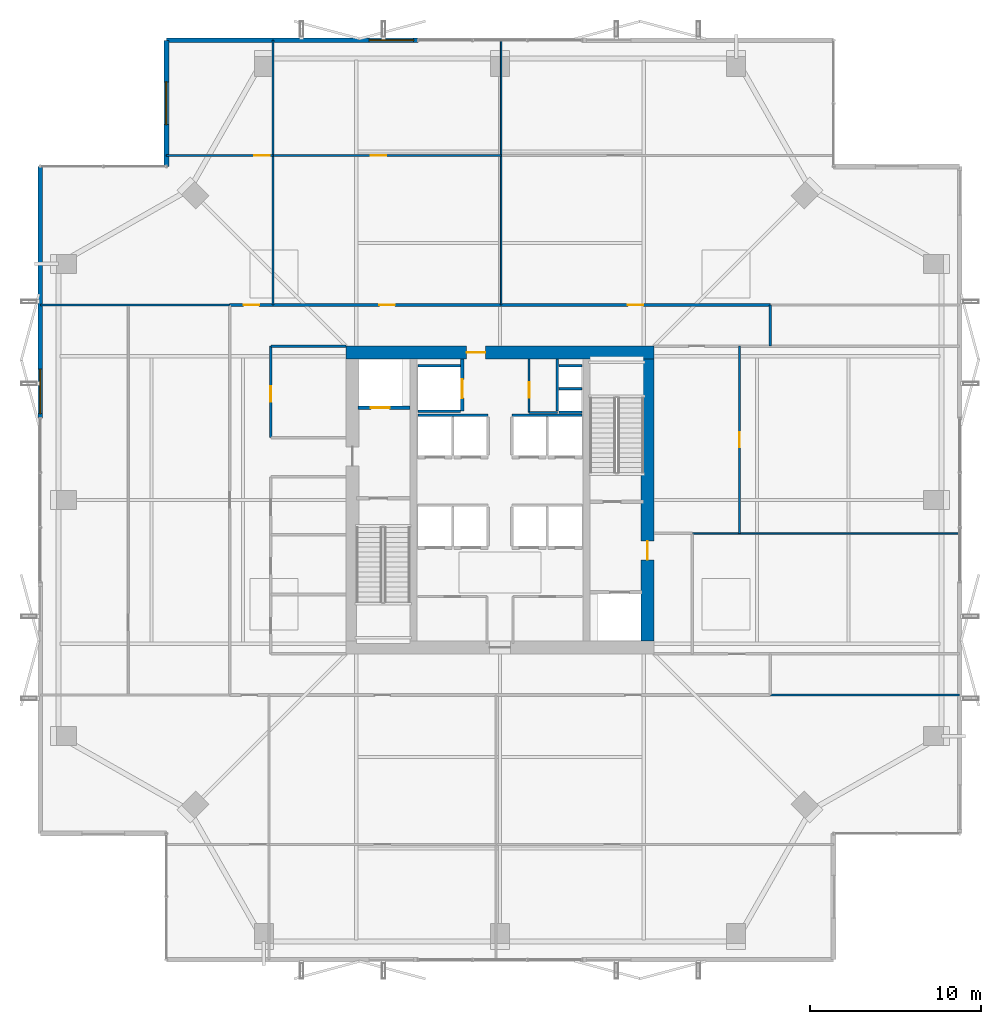
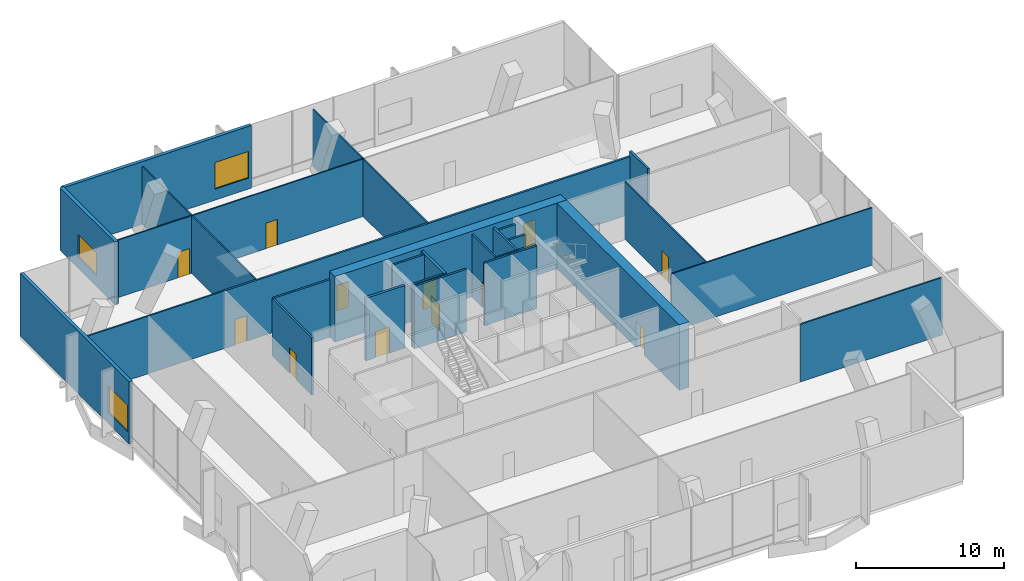
# One storey, part 31 of 33: 29 walls, 12 doors, 3 windows, 15 openings.
"""IFC4 building model written with IfcOpenShell, lengths in metres."""

from ifc_helpers import new_model, si_unit, direction, frame, frame_2d, origin, place, context, subcontext, project, spatial, rectangle, extrude, material, layer, layer_set, type_object, element, fill, save


model = new_model("IFC4")

# Units and contexts
model_context = context("Model", 3, precision=1e-05, world=origin(), true_north=direction((0.0, 1.0)))
body_context = subcontext(model_context, "Body", "Model", "MODEL_VIEW")
ifc_project = project(units=[si_unit("LENGTHUNIT", "METRE"), si_unit("AREAUNIT", "SQUARE_METRE"), si_unit("VOLUMEUNIT", "CUBIC_METRE"), si_unit("PLANEANGLEUNIT", "RADIAN"), si_unit("MASSUNIT", "GRAM", prefix="KILO")], contexts=[model_context])

# Site, building, storey
site_placement = place(None, origin())
site = spatial("IfcSite", under=ifc_project, at=site_placement, CompositionType="ELEMENT")
building_placement = place(site_placement, origin())
building = spatial("IfcBuilding", under=site, at=building_placement, Name="Belovzor Exchange Tower", CompositionType="ELEMENT")
storey_placement = place(building_placement, frame((0.0, 0.0, 241.199951171875)))
storey = spatial("IfcBuildingStorey", under=building, at=storey_placement, Name="L60", CompositionType="ELEMENT", Elevation=241.199951171875)

# Walls
ifc_material_1 = material(Name="Acoustic Plasterboard on Galvanised Studs", Category="gypsum")
ifc_layer_1 = layer(ifc_material_1, 0.1201171875)
ifc_layer_set_1 = layer_set([ifc_layer_1], Name="Acoustic Plasterboard on Galvanised Studs")
wall_type_1 = type_object("IfcWallType", Name="Acoustic Double-Stud Partition Wall 120", PredefinedType="PARTITIONING", material=ifc_layer_set_1)
wall_1_placement = place(storey_placement, frame((44.60009765625, 17.39990234375, 0.0), z_axis=(0.0, 0.0, 1.0), x_axis=(1.0, 0.0, 0.0)))
element("IfcWall", 1, at=wall_1_placement, inside=storey, type_object=wall_type_1, Name="W-P120 Partition Wall W-L60-END-SE", PredefinedType="PARTITIONING", context=body_context, shape_type="SweptSolid", body=[
    extrude(rectangle(XDim=11.06982421875, YDim=0.1201171875, at=frame_2d((5.534912109375, 0.0))), origin(), (0.0, 0.0, 1.0), 4.735107421875),
])
wall_2_placement = place(storey_placement, frame((1.929931640625, 40.199951171875, 0.0), z_axis=(0.0, 0.0, 1.0), x_axis=(1.0, 0.0, 0.0)))
element("IfcWall", 2, at=wall_2_placement, inside=storey, type_object=wall_type_1, Name="W-P120 Partition Wall W-L60-END-NW", PredefinedType="PARTITIONING", context=body_context, shape_type="SweptSolid", body=[
    extrude(rectangle(XDim=11.070068359375, YDim=0.1201171875, at=frame_2d((5.53515625, 0.0))), origin(), (0.0, 0.0, 1.0), 4.735107421875),
])

# Wall, opening, door
ifc_material_2 = material(Name="Acoustic Laminated Glass and Aluminium", Category="aluminium")
ifc_layer_2 = layer(ifc_material_2, 0.10009765625)
ifc_layer_set_2 = layer_set([ifc_layer_2], Name="Acoustic Laminated Glass and Aluminium")
wall_type_2 = type_object("IfcWallType", Name="Demountable Executive Glass Partition 100", PredefinedType="MOVABLE", material=ifc_layer_set_2)
wall_3_placement = place(storey_placement, frame((9.300048828125, 48.93505859375, 0.0), z_axis=(0.0, 0.0, 1.0), x_axis=(1.0, 0.0, 0.0)))
wall_3 = element("IfcWall", 3, at=wall_3_placement, inside=storey, type_object=wall_type_2, Name="W-M100 Partition Wall W-L60-NHDIV-0", PredefinedType="MOVABLE", context=body_context, shape_type="SweptSolid", body=[
    extrude(rectangle(XDim=6.23388671875, YDim=0.10009765625, at=frame_2d((3.116943359375, 0.0))), origin(), (0.0, 0.0, 1.0), 4.735107421875),
])
opening_1_placement = place(wall_3_placement, frame((5.134033203125, 0.0, 0.0)))
opening_1 = element("IfcOpeningElement", 4, at=opening_1_placement, cuts=wall_3, Name="Opening D-INT-090", PredefinedType="OPENING", context=body_context, shape_type="SweptSolid", body=[
    extrude(rectangle(XDim=0.89990234375, YDim=2.10009765625, at=frame_2d((0.449951171875, 1.050048828125))), frame((0.0, 0.06005859375, 0.0), z_axis=(0.0, -1.0, 0.0), x_axis=(1.0, 0.0, 0.0)), (0.0, 0.0, 1.0), 0.1201171875),
])
ifc_material_3 = material(Name="Veneered Hardwood Acoustic Leaf", Category="wood")
door_type_1 = type_object("IfcDoorType", Name="Trading Suite Acoustic Single Door 900x2100", OperationType="NOTDEFINED", PredefinedType="DOOR", material=ifc_material_3)
door_1_placement = place(opening_1_placement, origin())
door_1 = element("IfcDoor", 5, at=door_1_placement, inside=storey, type_object=door_type_1, Name="D-INT-090 Trading Suite Acoustic Single Door 900x2100", OperationType="SINGLE_SWING_RIGHT", OverallHeight=2.10009765625, OverallWidth=0.89990234375, PredefinedType="DOOR", context=body_context, shape_type="SweptSolid", body=[
    extrude(rectangle(XDim=0.89990234375, YDim=2.10009765625, at=frame_2d((0.449951171875, 1.050048828125))), frame((0.0, 0.02490234375, 0.0), z_axis=(0.0, -1.0, 0.0), x_axis=(1.0, 0.0, 0.0)), (0.0, 0.0, 1.0), 0.050048828125),
])
fill(opening_1, door_1)

# Wall
wall_4_placement = place(storey_placement, frame((15.533935546875, 40.199951171875, 0.0), z_axis=(0.0, 0.0, 1.0), x_axis=(0.0, 1.0, 0.0)))
element("IfcWall", 6, at=wall_4_placement, inside=storey, type_object=wall_type_2, Name="W-M100 Partition Wall W-L60-NDIV-1", PredefinedType="MOVABLE", context=body_context, shape_type="SweptSolid", body=[
    extrude(rectangle(XDim=15.469970703125, YDim=0.10009765625, at=frame_2d((7.73486328125, 0.0))), origin(), (0.0, 0.0, 1.0), 4.735107421875),
])

# Wall, opening, door
wall_5_placement = place(storey_placement, frame((15.533935546875, 48.93505859375, 0.0), z_axis=(0.0, 0.0, 1.0), x_axis=(1.0, 0.0, 0.0)))
wall_5 = element("IfcWall", 7, at=wall_5_placement, inside=storey, type_object=wall_type_2, Name="W-M100 Partition Wall W-L60-NHDIV-1", PredefinedType="MOVABLE", context=body_context, shape_type="SweptSolid", body=[
    extrude(rectangle(XDim=13.3310546875, YDim=0.10009765625, at=frame_2d((6.66552734375, 0.0))), origin(), (0.0, 0.0, 1.0), 4.735107421875),
])
opening_2_placement = place(wall_5_placement, frame((5.714111328125, 0.0, 0.0)))
opening_2 = element("IfcOpeningElement", 8, at=opening_2_placement, cuts=wall_5, Name="Opening D-INT-090", PredefinedType="OPENING", context=body_context, shape_type="SweptSolid", body=[
    extrude(rectangle(XDim=0.89990234375, YDim=2.10009765625, at=frame_2d((0.449951171875, 1.050048828125))), frame((0.0, 0.06005859375, 0.0), z_axis=(0.0, -1.0, 0.0), x_axis=(1.0, 0.0, 0.0)), (0.0, 0.0, 1.0), 0.1201171875),
])
door_2_placement = place(opening_2_placement, origin())
door_2 = element("IfcDoor", 9, at=door_2_placement, inside=storey, type_object=door_type_1, Name="D-INT-090 Trading Suite Acoustic Single Door 900x2100", OperationType="SINGLE_SWING_RIGHT", OverallHeight=2.10009765625, OverallWidth=0.89990234375, PredefinedType="DOOR", context=body_context, shape_type="SweptSolid", body=[
    extrude(rectangle(XDim=0.89990234375, YDim=2.10009765625, at=frame_2d((0.449951171875, 1.050048828125))), frame((0.0, 0.02490234375, 0.0), z_axis=(0.0, -1.0, 0.0), x_axis=(1.0, 0.0, 0.0)), (0.0, 0.0, 1.0), 0.050048828125),
])
fill(opening_2, door_2)

# Walls
wall_6_placement = place(storey_placement, frame((28.864990234375, 40.199951171875, 0.0), z_axis=(0.0, 0.0, 1.0), x_axis=(0.0, 1.0, 0.0)))
element("IfcWall", 10, at=wall_6_placement, inside=storey, type_object=wall_type_2, Name="W-M100 Partition Wall W-L60-NDIV-2", PredefinedType="MOVABLE", context=body_context, shape_type="SweptSolid", body=[
    extrude(rectangle(XDim=15.469970703125, YDim=0.10009765625, at=frame_2d((7.73486328125, 0.0))), origin(), (0.0, 0.0, 1.0), 4.735107421875),
])
wall_7_placement = place(storey_placement, frame((40.050048828125, 26.85009765625, 0.0), z_axis=(0.0, 0.0, 1.0), x_axis=(1.0, 0.0, 0.0)))
element("IfcWall", 11, at=wall_7_placement, inside=storey, type_object=wall_type_2, Name="W-M100 Partition Wall W-L60-EDIV-1", PredefinedType="MOVABLE", context=body_context, shape_type="SweptSolid", body=[
    extrude(rectangle(XDim=15.619873046875, YDim=0.10009765625, at=frame_2d((7.81005859375, 0.0))), origin(), (0.0, 0.0, 1.0), 4.735107421875),
])

# Wall, opening, door
wall_8_placement = place(storey_placement, frame((42.800048828125, 26.85009765625, 0.0), z_axis=(0.0, 0.0, 1.0), x_axis=(0.0, 1.0, 0.0)))
wall_8 = element("IfcWall", 12, at=wall_8_placement, inside=storey, type_object=wall_type_2, Name="W-M100 Partition Wall W-L60-EDIV-2", PredefinedType="MOVABLE", context=body_context, shape_type="SweptSolid", body=[
    extrude(rectangle(XDim=10.949951171875, YDim=0.10009765625, at=frame_2d((5.47509765625, 0.0))), origin(), (0.0, 0.0, 1.0), 4.735107421875),
])
opening_3_placement = place(wall_8_placement, frame((5.02490234375, 0.0, 0.0)))
opening_3 = element("IfcOpeningElement", 13, at=opening_3_placement, cuts=wall_8, Name="Opening D-INT-090", PredefinedType="OPENING", context=body_context, shape_type="SweptSolid", body=[
    extrude(rectangle(XDim=0.89990234375, YDim=2.10009765625, at=frame_2d((0.449951171875, 1.050048828125))), frame((0.0, 0.06005859375, 0.0), z_axis=(0.0, -1.0, 0.0), x_axis=(1.0, 0.0, 0.0)), (0.0, 0.0, 1.0), 0.1201171875),
])
door_3_placement = place(opening_3_placement, origin())
door_3 = element("IfcDoor", 14, at=door_3_placement, inside=storey, type_object=door_type_1, Name="D-INT-090 Trading Suite Acoustic Single Door 900x2100", OperationType="SINGLE_SWING_RIGHT", OverallHeight=2.10009765625, OverallWidth=0.89990234375, PredefinedType="DOOR", context=body_context, shape_type="SweptSolid", body=[
    extrude(rectangle(XDim=0.89990234375, YDim=2.10009765625, at=frame_2d((0.449951171875, 1.050048828125))), frame((0.0, 0.02490234375, 0.0), z_axis=(0.0, -1.0, 0.0), x_axis=(1.0, 0.0, 0.0)), (0.0, 0.0, 1.0), 0.050048828125),
])
fill(opening_3, door_3)

ifc_material_4 = material(Name="Fire-Rated Plasterboard on Galvanised Studs", Category="gypsum")
ifc_layer_3 = layer(ifc_material_4, 0.1201171875)
ifc_layer_set_3 = layer_set([ifc_layer_3], Name="Fire-Rated Plasterboard on Galvanised Studs")
wall_type_3 = type_object("IfcWallType", Name="Fire-Rated Double-Stud Partition Wall 120", PredefinedType="PARTITIONING", material=ifc_layer_set_3)
wall_9_placement = place(storey_placement, frame((30.5, 33.925048828125, 0.0), z_axis=(0.0, 0.0, 1.0), x_axis=(0.0, 1.0, 0.0)))
wall_9 = element("IfcWall", 15, at=wall_9_placement, inside=storey, type_object=wall_type_3, Name="W-P120F Partition Wall W-CRV-L60-W", PredefinedType="PARTITIONING", context=body_context, shape_type="SweptSolid", body=[
    extrude(rectangle(XDim=3.125, YDim=0.1201171875, at=frame_2d((1.5625, 0.0))), origin(), (0.0, 0.0, 1.0), 5.150146484375),
])
opening_4_placement = place(wall_9_placement, frame((0.85009765625, 0.0, 0.0)))
opening_4 = element("IfcOpeningElement", 16, at=opening_4_placement, cuts=wall_9, Name="Opening D-FD60-090", PredefinedType="OPENING", context=body_context, shape_type="SweptSolid", body=[
    extrude(rectangle(XDim=0.89990234375, YDim=2.10009765625, at=frame_2d((0.449951171875, 1.050048828125))), frame((0.0, 0.070068359375, 0.0), z_axis=(0.0, -1.0, 0.0), x_axis=(1.0, 0.0, 0.0)), (0.0, 0.0, 1.0), 0.14013671875),
])
ifc_material_5 = material(Name="Acoustic Timber Fire Leaf", Category="wood")
door_type_2 = type_object("IfcDoorType", Name="Core Service & Restroom Fire Door 900x2100", OperationType="NOTDEFINED", PredefinedType="DOOR", material=ifc_material_5)
door_4_placement = place(opening_4_placement, origin())
door_4 = element("IfcDoor", 17, at=door_4_placement, inside=storey, type_object=door_type_2, Name="D-FD60-090 Core Service & Restroom Fire Door 900x2100", OperationType="SINGLE_SWING_LEFT", OverallHeight=2.10009765625, OverallWidth=0.89990234375, PredefinedType="DOOR", context=body_context, shape_type="SweptSolid", body=[
    extrude(rectangle(XDim=0.89990234375, YDim=2.10009765625, at=frame_2d((0.449951171875, 1.050048828125))), frame((0.0, 0.02490234375, 0.0), z_axis=(0.0, -1.0, 0.0), x_axis=(1.0, 0.0, 0.0)), (0.0, 0.0, 1.0), 0.050048828125),
])
fill(opening_4, door_4)

# Walls
wall_10_placement = place(storey_placement, frame((30.5, 33.925048828125, 0.0), z_axis=(0.0, 0.0, 1.0), x_axis=(1.0, 0.0, 0.0)))
element("IfcWall", 18, at=wall_10_placement, inside=storey, type_object=wall_type_3, Name="W-P120F Partition Wall W-CRV-L60-S", PredefinedType="PARTITIONING", context=body_context, shape_type="SweptSolid", body=[
    extrude(rectangle(XDim=1.64990234375, YDim=0.1201171875, at=frame_2d((0.824951171875, 0.0))), origin(), (0.0, 0.0, 1.0), 5.150146484375),
])
ifc_material_6 = material(Name="Fire-Rated Gypsum Block and Mineral Wool", Category="gypsum")
ifc_layer_4 = layer(ifc_material_6, 0.14990234375)
ifc_layer_set_4 = layer_set([ifc_layer_4], Name="Fire-Rated Gypsum Block and Mineral Wool")
wall_type_4 = type_object("IfcWallType", Name="Fire-Rated Gypsum Block Corridor Wall 150", PredefinedType="PARTITIONING", material=ifc_layer_set_4)
wall_11_placement = place(storey_placement, frame((15.39990234375, 37.800048828125, 0.0), z_axis=(0.0, 0.0, 1.0), x_axis=(1.0, 0.0, 0.0)))
element("IfcWall", 19, at=wall_11_placement, inside=storey, type_object=wall_type_4, Name="W-P150 Partition Wall W-L60-INW-N", PredefinedType="PARTITIONING", context=body_context, shape_type="SweptSolid", body=[
    extrude(rectangle(XDim=4.400146484375, YDim=0.14990234375, at=frame_2d((2.2001953125, 0.0))), origin(), (0.0, 0.0, 1.0), 4.735107421875),
])

# Wall, opening, door
wall_12_placement = place(storey_placement, frame((15.39990234375, 32.449951171875, 0.0), z_axis=(0.0, 0.0, 1.0), x_axis=(0.0, 1.0, 0.0)))
wall_12 = element("IfcWall", 20, at=wall_12_placement, inside=storey, type_object=wall_type_4, Name="W-P150 Partition Wall W-L60-WIE-N", PredefinedType="PARTITIONING", context=body_context, shape_type="SweptSolid", body=[
    extrude(rectangle(XDim=5.35009765625, YDim=0.14990234375, at=frame_2d((2.675048828125, 0.0))), origin(), (0.0, 0.0, 1.0), 4.735107421875),
])
opening_5_placement = place(wall_12_placement, frame((2.10009765625, 0.0, 0.0)))
opening_5 = element("IfcOpeningElement", 21, at=opening_5_placement, cuts=wall_12, Name="Opening D-FD60-090", PredefinedType="OPENING", context=body_context, shape_type="SweptSolid", body=[
    extrude(rectangle(XDim=0.89990234375, YDim=2.10009765625, at=frame_2d((0.449951171875, 1.050048828125))), frame((0.0, 0.0849609375, 0.0), z_axis=(0.0, -1.0, 0.0), x_axis=(1.0, 0.0, 0.0)), (0.0, 0.0, 1.0), 0.169921875),
])
door_5_placement = place(opening_5_placement, origin())
door_5 = element("IfcDoor", 22, at=door_5_placement, inside=storey, type_object=door_type_2, Name="D-FD60-090 Core Service & Restroom Fire Door 900x2100", OperationType="SINGLE_SWING_LEFT", OverallHeight=2.10009765625, OverallWidth=0.89990234375, PredefinedType="DOOR", context=body_context, shape_type="SweptSolid", body=[
    extrude(rectangle(XDim=0.89990234375, YDim=2.10009765625, at=frame_2d((0.449951171875, 1.050048828125))), frame((0.0, 0.02490234375, 0.0), z_axis=(0.0, -1.0, 0.0), x_axis=(1.0, 0.0, 0.0)), (0.0, 0.0, 1.0), 0.050048828125),
])
fill(opening_5, door_5)

# Wall
wall_13_placement = place(storey_placement, frame((44.60009765625, 37.800048828125, 0.0), z_axis=(0.0, 0.0, 1.0), x_axis=(0.0, 1.0, 0.0)))
element("IfcWall", 23, at=wall_13_placement, inside=storey, type_object=wall_type_4, Name="W-P150 Partition Wall W-L60-END-EN", PredefinedType="PARTITIONING", context=body_context, shape_type="SweptSolid", body=[
    extrude(rectangle(XDim=2.39990234375, YDim=0.14990234375, at=frame_2d((1.199951171875, 0.0))), origin(), (0.0, 0.0, 1.0), 5.150146484375),
])

# Wall, openings, doors
wall_14_placement = place(storey_placement, frame((13.0, 40.199951171875, 0.0), z_axis=(0.0, 0.0, 1.0), x_axis=(1.0, 0.0, 0.0)))
wall_14 = element("IfcWall", 24, at=wall_14_placement, inside=storey, type_object=wall_type_4, Name="W-P150 Partition Wall W-L60-CN", PredefinedType="PARTITIONING", context=body_context, shape_type="SweptSolid", body=[
    extrude(rectangle(XDim=31.60009765625, YDim=0.14990234375, at=frame_2d((15.800048828125, 0.0))), origin(), (0.0, 0.0, 1.0), 4.735107421875),
])
opening_6_placement = place(wall_14_placement, frame((0.81689453125, 0.0, 0.0)))
opening_6 = element("IfcOpeningElement", 25, at=opening_6_placement, cuts=wall_14, Name="Opening D-INT-090", PredefinedType="OPENING", context=body_context, shape_type="SweptSolid", body=[
    extrude(rectangle(XDim=0.89990234375, YDim=2.10009765625, at=frame_2d((0.449951171875, 1.050048828125))), frame((0.0, 0.0849609375, 0.0), z_axis=(0.0, -1.0, 0.0), x_axis=(1.0, 0.0, 0.0)), (0.0, 0.0, 1.0), 0.169921875),
])
opening_7_placement = place(wall_14_placement, frame((8.75, 0.0, 0.0)))
opening_7 = element("IfcOpeningElement", 26, at=opening_7_placement, cuts=wall_14, Name="Opening D-INT-090", PredefinedType="OPENING", context=body_context, shape_type="SweptSolid", body=[
    extrude(rectangle(XDim=0.89990234375, YDim=2.10009765625, at=frame_2d((0.449951171875, 1.050048828125))), frame((0.0, 0.0849609375, 0.0), z_axis=(0.0, -1.0, 0.0), x_axis=(1.0, 0.0, 0.0)), (0.0, 0.0, 1.0), 0.169921875),
])
opening_8_placement = place(wall_14_placement, frame((23.281982421875, 0.0, 0.0)))
opening_8 = element("IfcOpeningElement", 27, at=opening_8_placement, cuts=wall_14, Name="Opening D-INT-090", PredefinedType="OPENING", context=body_context, shape_type="SweptSolid", body=[
    extrude(rectangle(XDim=0.89990234375, YDim=2.10009765625, at=frame_2d((0.449951171875, 1.050048828125))), frame((0.0, 0.0849609375, 0.0), z_axis=(0.0, -1.0, 0.0), x_axis=(1.0, 0.0, 0.0)), (0.0, 0.0, 1.0), 0.169921875),
])
door_6_placement = place(opening_6_placement, origin())
door_6 = element("IfcDoor", 28, at=door_6_placement, inside=storey, type_object=door_type_1, Name="D-INT-090 Trading Suite Acoustic Single Door 900x2100", OperationType="SINGLE_SWING_RIGHT", OverallHeight=2.10009765625, OverallWidth=0.89990234375, PredefinedType="DOOR", context=body_context, shape_type="SweptSolid", body=[
    extrude(rectangle(XDim=0.89990234375, YDim=2.10009765625, at=frame_2d((0.449951171875, 1.050048828125))), frame((0.0, 0.02490234375, 0.0), z_axis=(0.0, -1.0, 0.0), x_axis=(1.0, 0.0, 0.0)), (0.0, 0.0, 1.0), 0.050048828125),
])
fill(opening_6, door_6)
door_7_placement = place(opening_7_placement, origin())
door_7 = element("IfcDoor", 29, at=door_7_placement, inside=storey, type_object=door_type_1, Name="D-INT-090 Trading Suite Acoustic Single Door 900x2100", OperationType="SINGLE_SWING_LEFT", OverallHeight=2.10009765625, OverallWidth=0.89990234375, PredefinedType="DOOR", context=body_context, shape_type="SweptSolid", body=[
    extrude(rectangle(XDim=0.89990234375, YDim=2.10009765625, at=frame_2d((0.449951171875, 1.050048828125))), frame((0.0, 0.02490234375, 0.0), z_axis=(0.0, -1.0, 0.0), x_axis=(1.0, 0.0, 0.0)), (0.0, 0.0, 1.0), 0.050048828125),
])
fill(opening_7, door_7)
door_8_placement = place(opening_8_placement, origin())
door_8 = element("IfcDoor", 30, at=door_8_placement, inside=storey, type_object=door_type_1, Name="D-INT-090 Trading Suite Acoustic Single Door 900x2100", OperationType="SINGLE_SWING_RIGHT", OverallHeight=2.10009765625, OverallWidth=0.89990234375, PredefinedType="DOOR", context=body_context, shape_type="SweptSolid", body=[
    extrude(rectangle(XDim=0.89990234375, YDim=2.10009765625, at=frame_2d((0.449951171875, 1.050048828125))), frame((0.0, 0.02490234375, 0.0), z_axis=(0.0, -1.0, 0.0), x_axis=(1.0, 0.0, 0.0)), (0.0, 0.0, 1.0), 0.050048828125),
])
fill(opening_8, door_8)

# Wall, opening, window
ifc_material_7 = material(Name="Precast concrete C40/50", Category="concrete")
ifc_layer_5 = layer(ifc_material_7, 0.280029296875)
ifc_layer_set_5 = layer_set([ifc_layer_5], Name="Precast concrete C40/50")
wall_type_5 = type_object("IfcWallType", Name="Precast Concrete Notched Corner Frame Wall 280", PredefinedType="SOLIDWALL", material=ifc_layer_set_5)
wall_15_placement = place(storey_placement, frame((9.300048828125, 48.300048828125, 0.0), z_axis=(0.0, 0.0, 1.0), x_axis=(0.0, 1.0, 0.0)))
wall_15 = element("IfcWall", 31, at=wall_15_placement, inside=storey, type_object=wall_type_5, Name="W-CRN280 Precast Concrete Notched Corner Frame Wall 280 L60", PredefinedType="SOLIDWALL", context=body_context, shape_type="SweptSolid", body=[
    extrude(rectangle(XDim=7.369873046875, YDim=0.280029296875, at=frame_2d((3.68505859375, 0.0))), origin(), (0.0, 0.0, 1.0), 5.150146484375),
])
opening_9_placement = place(wall_15_placement, frame((2.43505859375, 0.0, 0.89990234375)))
opening_9 = element("IfcOpeningElement", 32, at=opening_9_placement, cuts=wall_15, Name="Opening WN-CRN250", PredefinedType="OPENING", context=body_context, shape_type="SweptSolid", body=[
    extrude(rectangle(XDim=2.5, YDim=1.89990234375, at=frame_2d((1.25, 0.949951171875))), frame((0.0, 0.14990234375, 0.0), z_axis=(0.0, -1.0, 0.0), x_axis=(1.0, 0.0, 0.0)), (0.0, 0.0, 1.0), 0.300048828125),
])
ifc_material_8 = material(Name="Thermally Broken Aluminium and Triple Glazing", Category="aluminium")
window_type_1 = type_object("IfcWindowType", Name="Streamline Moderne Corner Wrap Ribbon Window 2500x1900", PartitioningType="SINGLE_PANEL", PredefinedType="WINDOW", material=ifc_material_8)
window_1_placement = place(opening_9_placement, origin())
window_1 = element("IfcWindow", 33, at=window_1_placement, inside=storey, type_object=window_type_1, Name="WN-CRN250 Streamline Moderne Corner Wrap Ribbon Window 2500x1900", OverallHeight=1.89990234375, OverallWidth=2.5, PartitioningType="SINGLE_PANEL", PredefinedType="WINDOW", context=body_context, shape_type="SweptSolid", body=[
    extrude(rectangle(XDim=2.5, YDim=1.89990234375, at=frame_2d((1.25, 0.949951171875))), frame((0.0, 0.030029296875, 0.0), z_axis=(0.0, -1.0, 0.0), x_axis=(1.0, 0.0, 0.0)), (0.0, 0.0, 1.0), 0.06005859375),
])
fill(opening_9, window_1)

ifc_material_9 = material(Name="Precast concrete C40/50", Category="concrete")
ifc_layer_6 = layer(ifc_material_9, 0.260009765625)
ifc_layer_set_6 = layer_set([ifc_layer_6], Name="Precast concrete C40/50")
wall_type_6 = type_object("IfcWallType", Name="Precast Concrete Perimeter Loggia Frame Wall 260", PredefinedType="SOLIDWALL", material=ifc_layer_set_6)
wall_16_placement = place(storey_placement, frame((9.300048828125, 55.669921875, 0.0), z_axis=(0.0, 0.0, 1.0), x_axis=(1.0, 0.0, 0.0)))
wall_16 = element("IfcWall", 34, at=wall_16_placement, inside=storey, type_object=wall_type_6, Name="W-EXT260 Precast Concrete Perimeter Loggia Frame Wall 260 L60", PredefinedType="SOLIDWALL", context=body_context, shape_type="SweptSolid", body=[
    extrude(rectangle(XDim=14.699951171875, YDim=0.260009765625, at=frame_2d((7.35009765625, 0.0))), origin(), (0.0, 0.0, 1.0), 5.150146484375),
])
opening_10_placement = place(wall_16_placement, frame((11.85009765625, 0.0, 0.89990234375)))
opening_10 = element("IfcOpeningElement", 35, at=opening_10_placement, cuts=wall_16, Name="Opening WN-LOG260", PredefinedType="OPENING", context=body_context, shape_type="SweptSolid", body=[
    extrude(rectangle(XDim=2.60009765625, YDim=2.199951171875, at=frame_2d((1.300048828125, 1.10009765625))), frame((0.0, 0.139892578125, 0.0), z_axis=(0.0, -1.0, 0.0), x_axis=(1.0, 0.0, 0.0)), (0.0, 0.0, 1.0), 0.280029296875),
])
ifc_material_10 = material(Name="Thermally Broken Aluminium and Triple Glazing", Category="aluminium")
window_type_2 = type_object("IfcWindowType", Name="Sky-Lobby Panoramic Window 2600x2200", PartitioningType="SINGLE_PANEL", PredefinedType="WINDOW", material=ifc_material_10)
window_2_placement = place(opening_10_placement, origin())
window_2 = element("IfcWindow", 36, at=window_2_placement, inside=storey, type_object=window_type_2, Name="WN-LOG260 Sky-Lobby Panoramic Window 2600x2200", OverallHeight=2.199951171875, OverallWidth=2.60009765625, PartitioningType="SINGLE_PANEL", PredefinedType="WINDOW", context=body_context, shape_type="SweptSolid", body=[
    extrude(rectangle(XDim=2.60009765625, YDim=2.199951171875, at=frame_2d((1.300048828125, 1.10009765625))), frame((0.0, 0.030029296875, 0.0), z_axis=(0.0, -1.0, 0.0), x_axis=(1.0, 0.0, 0.0)), (0.0, 0.0, 1.0), 0.06005859375),
])
fill(opening_10, window_2)

wall_17_placement = place(storey_placement, frame((1.929931640625, 33.60009765625, 0.0), z_axis=(0.0, 0.0, 1.0), x_axis=(0.0, 1.0, 0.0)))
wall_17 = element("IfcWall", 37, at=wall_17_placement, inside=storey, type_object=wall_type_6, Name="W-EXT260 Precast Concrete Perimeter Loggia Frame Wall 260 L60", PredefinedType="SOLIDWALL", context=body_context, shape_type="SweptSolid", body=[
    extrude(rectangle(XDim=14.699951171875, YDim=0.260009765625, at=frame_2d((7.35009765625, 0.0))), origin(), (0.0, 0.0, 1.0), 5.150146484375),
])
opening_11_placement = place(wall_17_placement, frame((0.25, 0.0, 0.89990234375)))
opening_11 = element("IfcOpeningElement", 38, at=opening_11_placement, cuts=wall_17, Name="Opening WN-LOG260", PredefinedType="OPENING", context=body_context, shape_type="SweptSolid", body=[
    extrude(rectangle(XDim=2.60009765625, YDim=2.199951171875, at=frame_2d((1.300048828125, 1.10009765625))), frame((0.0, 0.139892578125, 0.0), z_axis=(0.0, -1.0, 0.0), x_axis=(1.0, 0.0, 0.0)), (0.0, 0.0, 1.0), 0.280029296875),
])
window_3_placement = place(opening_11_placement, origin())
window_3 = element("IfcWindow", 39, at=window_3_placement, inside=storey, type_object=window_type_2, Name="WN-LOG260 Sky-Lobby Panoramic Window 2600x2200", OverallHeight=2.199951171875, OverallWidth=2.60009765625, PartitioningType="SINGLE_PANEL", PredefinedType="WINDOW", context=body_context, shape_type="SweptSolid", body=[
    extrude(rectangle(XDim=2.60009765625, YDim=2.199951171875, at=frame_2d((1.300048828125, 1.10009765625))), frame((0.0, 0.030029296875, 0.0), z_axis=(0.0, -1.0, 0.0), x_axis=(1.0, 0.0, 0.0)), (0.0, 0.0, 1.0), 0.06005859375),
])
fill(opening_11, window_3)

# Walls
ifc_material_11 = material(Name="Concrete C50/60", Category="concrete")
ifc_layer_7 = layer(ifc_material_11, 0.14990234375)
ifc_layer_set_7 = layer_set([ifc_layer_7], Name="Concrete C50/60")
wall_type_7 = type_object("IfcWallType", Name="Reinforced Concrete Core Riser Shear Wall 150", PredefinedType="SHEAR", material=ifc_layer_set_7)
wall_18_placement = place(storey_placement, frame((32.14990234375, 34.0, 0.0), z_axis=(0.0, 0.0, 1.0), x_axis=(0.0, 1.0, 0.0)))
element("IfcWall", 40, at=wall_18_placement, inside=storey, type_object=wall_type_7, Name="W-C150S Core Shaft Wall W-RSR-L60-E", PredefinedType="SHEAR", context=body_context, shape_type="SweptSolid", body=[
    extrude(rectangle(XDim=3.050048828125, YDim=0.14990234375, at=frame_2d((1.52490234375, 0.0))), origin(), (0.0, 0.0, 1.0), 5.150146484375),
])
for number, where, z_axis, x_axis, name in (
    (41, (32.25, 33.925048828125, 0.0), (0.0, 0.0, 1.0), (1.0, 0.0, 0.0), "W-C150S Core Shaft Wall W-RSR-L60-S"),
    (42, (32.25, 35.300048828125, 0.0), (0.0, 0.0, 1.0), (1.0, 0.0, 0.0), "W-C150S Core Shaft Wall W-RSR-L60-M"),
):
    element("IfcWall", number, at=place(storey_placement, frame(where, z_axis=z_axis, x_axis=x_axis)), inside=storey, type_object=wall_type_7, Name=name, PredefinedType="SHEAR", context=body_context, shape_type="SweptSolid", body=[
        extrude(rectangle(XDim=1.330078125, YDim=0.14990234375, at=frame_2d((0.6650390625, 0.0))), origin(), (0.0, 0.0, 1.0), 5.150146484375),
    ])
for number, where, z_axis, x_axis, name in (
    (43, (24.0, 34.0, 0.0), (0.0, 0.0, 1.0), (1.0, 0.0, 0.0), "W-C150S Core Shaft Wall W-SH-L60-SL-01S"),
    (44, (24.0, 36.64990234375, 0.0), (0.0, 0.0, 1.0), (1.0, 0.0, 0.0), "W-C150S Core Shaft Wall W-SH-L60-SL-01N"),
):
    element("IfcWall", number, at=place(storey_placement, frame(where, z_axis=z_axis, x_axis=x_axis)), inside=storey, type_object=wall_type_7, Name=name, PredefinedType="SHEAR", context=body_context, shape_type="SweptSolid", body=[
        extrude(rectangle(XDim=2.47998046875, YDim=0.14990234375, at=frame_2d((1.239990234375, 0.0))), origin(), (0.0, 0.0, 1.0), 5.150146484375),
    ])
wall_19_placement = place(storey_placement, frame((32.25, 36.64990234375, 0.0), z_axis=(0.0, 0.0, 1.0), x_axis=(1.0, 0.0, 0.0)))
element("IfcWall", 45, at=wall_19_placement, inside=storey, type_object=wall_type_7, Name="W-C150S Core Shaft Wall W-RSR-L60-N", PredefinedType="SHEAR", context=body_context, shape_type="SweptSolid", body=[
    extrude(rectangle(XDim=1.330078125, YDim=0.14990234375, at=frame_2d((0.6650390625, 0.0))), origin(), (0.0, 0.0, 1.0), 5.150146484375),
])
for number, where, z_axis, x_axis, name in (
    (46, (24.02001953125, 33.760009765625, 0.0), (0.0, 0.0, 1.0), (1.0, 0.0, 0.0), "W-C150S Core Shaft Wall W-SHB-L60-PLH-NW"),
    (47, (29.5, 33.760009765625, 0.0), (0.0, 0.0, 1.0), (1.0, 0.0, 0.0), "W-C150S Core Shaft Wall W-SHB-L60-PLH-NE"),
):
    element("IfcWall", number, at=place(storey_placement, frame(where, z_axis=z_axis, x_axis=x_axis)), inside=storey, type_object=wall_type_7, Name=name, PredefinedType="SHEAR", context=body_context, shape_type="SweptSolid", body=[
        extrude(rectangle(XDim=4.080078125, YDim=0.14990234375, at=frame_2d((2.0400390625, 0.0))), origin(), (0.0, 0.0, 1.0), 5.150146484375),
    ])

# Wall, opening, door
ifc_material_12 = material(Name="Concrete C50/60", Category="concrete")
ifc_layer_8 = layer(ifc_material_12, 0.199951171875)
ifc_layer_set_8 = layer_set([ifc_layer_8], Name="Concrete C50/60")
wall_type_8 = type_object("IfcWallType", Name="Reinforced Concrete Core Shaft Shear Wall 200", PredefinedType="SHEAR", material=ifc_layer_set_8)
wall_20_placement = place(storey_placement, frame((20.5, 34.199951171875, 0.0), z_axis=(0.0, 0.0, 1.0), x_axis=(1.0, 0.0, 0.0)))
wall_20 = element("IfcWall", 48, at=wall_20_placement, inside=storey, type_object=wall_type_8, Name="W-C200S Core Shaft Wall W-SH-L60-FFL-01", PredefinedType="SHEAR", context=body_context, shape_type="SweptSolid", body=[
    extrude(rectangle(XDim=3.050048828125, YDim=0.199951171875, at=frame_2d((1.52490234375, 0.0))), origin(), (0.0, 0.0, 1.0), 5.150146484375),
])
opening_12_placement = place(wall_20_placement, frame((0.75, 0.0, 0.0)))
opening_12 = element("IfcOpeningElement", 49, at=opening_12_placement, cuts=wall_20, Name="Opening LD-110", PredefinedType="OPENING", context=body_context, shape_type="SweptSolid", body=[
    extrude(rectangle(XDim=1.10009765625, YDim=2.14990234375, at=frame_2d((0.550048828125, 1.074951171875))), frame((0.0, 0.10986328125, 0.0), z_axis=(0.0, -1.0, 0.0), x_axis=(1.0, 0.0, 0.0)), (0.0, 0.0, 1.0), 0.219970703125),
])
ifc_material_13 = material(Name="Stainless Steel Grade 304", Category="steel")
door_type_3 = type_object("IfcDoorType", Name="Automated Stainless Steel Lift Landing Door 1100x2150", OperationType="SLIDING_TO_RIGHT", PredefinedType="DOOR", material=ifc_material_13)
door_9_placement = place(opening_12_placement, origin())
door_9 = element("IfcDoor", 50, at=door_9_placement, inside=storey, type_object=door_type_3, Name="LD-110 Automated Stainless Steel Lift Landing Door 1100x2150", OperationType="SLIDING_TO_RIGHT", OverallHeight=2.14990234375, OverallWidth=1.10009765625, PredefinedType="DOOR", context=body_context, shape_type="SweptSolid", body=[
    extrude(rectangle(XDim=1.10009765625, YDim=2.14990234375, at=frame_2d((0.550048828125, 1.074951171875))), frame((0.0, 0.02490234375, 0.0), z_axis=(0.0, -1.0, 0.0), x_axis=(1.0, 0.0, 0.0)), (0.0, 0.0, 1.0), 0.050048828125),
])
fill(opening_12, door_9)

wall_21_placement = place(storey_placement, frame((26.60009765625, 34.0, 0.0), z_axis=(0.0, 0.0, 1.0), x_axis=(0.0, 1.0, 0.0)))
wall_21 = element("IfcWall", 51, at=wall_21_placement, inside=storey, type_object=wall_type_8, Name="W-C200S Core Shaft Wall W-SH-L60-SL-01", PredefinedType="SHEAR", context=body_context, shape_type="SweptSolid", body=[
    extrude(rectangle(XDim=3.050048828125, YDim=0.199951171875, at=frame_2d((1.52490234375, 0.0))), origin(), (0.0, 0.0, 1.0), 5.150146484375),
])
opening_13_placement = place(wall_21_placement, frame((0.75, 0.0, 0.0)))
opening_13 = element("IfcOpeningElement", 52, at=opening_13_placement, cuts=wall_21, Name="Opening LD-110", PredefinedType="OPENING", context=body_context, shape_type="SweptSolid", body=[
    extrude(rectangle(XDim=1.10009765625, YDim=2.14990234375, at=frame_2d((0.550048828125, 1.074951171875))), frame((0.0, 0.10986328125, 0.0), z_axis=(0.0, -1.0, 0.0), x_axis=(1.0, 0.0, 0.0)), (0.0, 0.0, 1.0), 0.219970703125),
])
door_10_placement = place(opening_13_placement, origin())
door_10 = element("IfcDoor", 53, at=door_10_placement, inside=storey, type_object=door_type_3, Name="LD-110 Automated Stainless Steel Lift Landing Door 1100x2150", OperationType="SLIDING_TO_RIGHT", OverallHeight=2.14990234375, OverallWidth=1.10009765625, PredefinedType="DOOR", context=body_context, shape_type="SweptSolid", body=[
    extrude(rectangle(XDim=1.10009765625, YDim=2.14990234375, at=frame_2d((0.550048828125, 1.074951171875))), frame((0.0, 0.02490234375, 0.0), z_axis=(0.0, -1.0, 0.0), x_axis=(1.0, 0.0, 0.0)), (0.0, 0.0, 1.0), 0.050048828125),
])
fill(opening_13, door_10)

ifc_material_14 = material(Name="Concrete C50/60", Category="concrete")
ifc_layer_9 = layer(ifc_material_14, 0.75)
ifc_layer_set_9 = layer_set([ifc_layer_9], Name="Concrete C50/60")
wall_type_9 = type_object("IfcWallType", Name="Reinforced Concrete Core Shear Wall 750", PredefinedType="SHEAR", material=ifc_layer_set_9)
wall_22_placement = place(storey_placement, frame((19.800048828125, 37.425048828125, 0.0), z_axis=(0.0, 0.0, 1.0), x_axis=(1.0, 0.0, 0.0)))
wall_22 = element("IfcWall", 54, at=wall_22_placement, inside=storey, type_object=wall_type_9, Name="CW-S075 Core Shear Wall L60 N", PredefinedType="SHEAR", context=body_context, shape_type="SweptSolid", body=[
    extrude(rectangle(XDim=18.0, YDim=0.75, at=frame_2d((9.0, 0.0))), origin(), (0.0, 0.0, 1.0), 5.400146484375),
])
opening_14_placement = place(wall_22_placement, frame((7.050048828125, 0.0, 0.0)))
opening_14 = element("IfcOpeningElement", 55, at=opening_14_placement, cuts=wall_22, Name="Opening D-FD90-110", PredefinedType="OPENING", context=body_context, shape_type="SweptSolid", body=[
    extrude(rectangle(XDim=1.10009765625, YDim=2.14990234375, at=frame_2d((0.550048828125, 1.074951171875))), frame((0.0, 0.385009765625, 0.0), z_axis=(0.0, -1.0, 0.0), x_axis=(1.0, 0.0, 0.0)), (0.0, 0.0, 1.0), 0.77001953125),
])
ifc_material_15 = material(Name="Fire-Rated Galvanised Steel Leaf", Category="steel")
door_type_4 = type_object("IfcDoorType", Name="Protected Escape Vestibule Fire Door 1100x2150", OperationType="NOTDEFINED", PredefinedType="DOOR", material=ifc_material_15)
door_11_placement = place(opening_14_placement, origin())
door_11 = element("IfcDoor", 56, at=door_11_placement, inside=storey, type_object=door_type_4, Name="D-FD90-110 Protected Escape Vestibule Fire Door 1100x2150", OperationType="SINGLE_SWING_RIGHT", OverallHeight=2.14990234375, OverallWidth=1.10009765625, PredefinedType="DOOR", context=body_context, shape_type="SweptSolid", body=[
    extrude(rectangle(XDim=1.10009765625, YDim=2.14990234375, at=frame_2d((0.550048828125, 1.074951171875))), frame((0.0, 0.02490234375, 0.0), z_axis=(0.0, -1.0, 0.0), x_axis=(1.0, 0.0, 0.0)), (0.0, 0.0, 1.0), 0.050048828125),
])
fill(opening_14, door_11)

wall_23_placement = place(storey_placement, frame((37.425048828125, 20.550048828125, 0.0), z_axis=(0.0, 0.0, 1.0), x_axis=(0.0, 1.0, 0.0)))
wall_23 = element("IfcWall", 57, at=wall_23_placement, inside=storey, type_object=wall_type_9, Name="CW-S075 Core Shear Wall L60 E", PredefinedType="SHEAR", context=body_context, shape_type="SweptSolid", body=[
    extrude(rectangle(XDim=16.5, YDim=0.75, at=frame_2d((8.25, 0.0))), origin(), (0.0, 0.0, 1.0), 5.400146484375),
])
opening_15_placement = place(wall_23_placement, frame((4.75, 0.0, 0.0)))
opening_15 = element("IfcOpeningElement", 58, at=opening_15_placement, cuts=wall_23, Name="Opening D-FD90-110", PredefinedType="OPENING", context=body_context, shape_type="SweptSolid", body=[
    extrude(rectangle(XDim=1.10009765625, YDim=2.14990234375, at=frame_2d((0.550048828125, 1.074951171875))), frame((0.0, 0.385009765625, 0.0), z_axis=(0.0, -1.0, 0.0), x_axis=(1.0, 0.0, 0.0)), (0.0, 0.0, 1.0), 0.77001953125),
])
door_12_placement = place(opening_15_placement, origin())
door_12 = element("IfcDoor", 59, at=door_12_placement, inside=storey, type_object=door_type_4, Name="D-FD90-110 Protected Escape Vestibule Fire Door 1100x2150", OperationType="SINGLE_SWING_RIGHT", OverallHeight=2.14990234375, OverallWidth=1.10009765625, PredefinedType="DOOR", context=body_context, shape_type="SweptSolid", body=[
    extrude(rectangle(XDim=1.10009765625, YDim=2.14990234375, at=frame_2d((0.550048828125, 1.074951171875))), frame((0.0, 0.02490234375, 0.0), z_axis=(0.0, -1.0, 0.0), x_axis=(1.0, 0.0, 0.0)), (0.0, 0.0, 1.0), 0.050048828125),
])
fill(opening_15, door_12)

save(model, "model.ifc")
